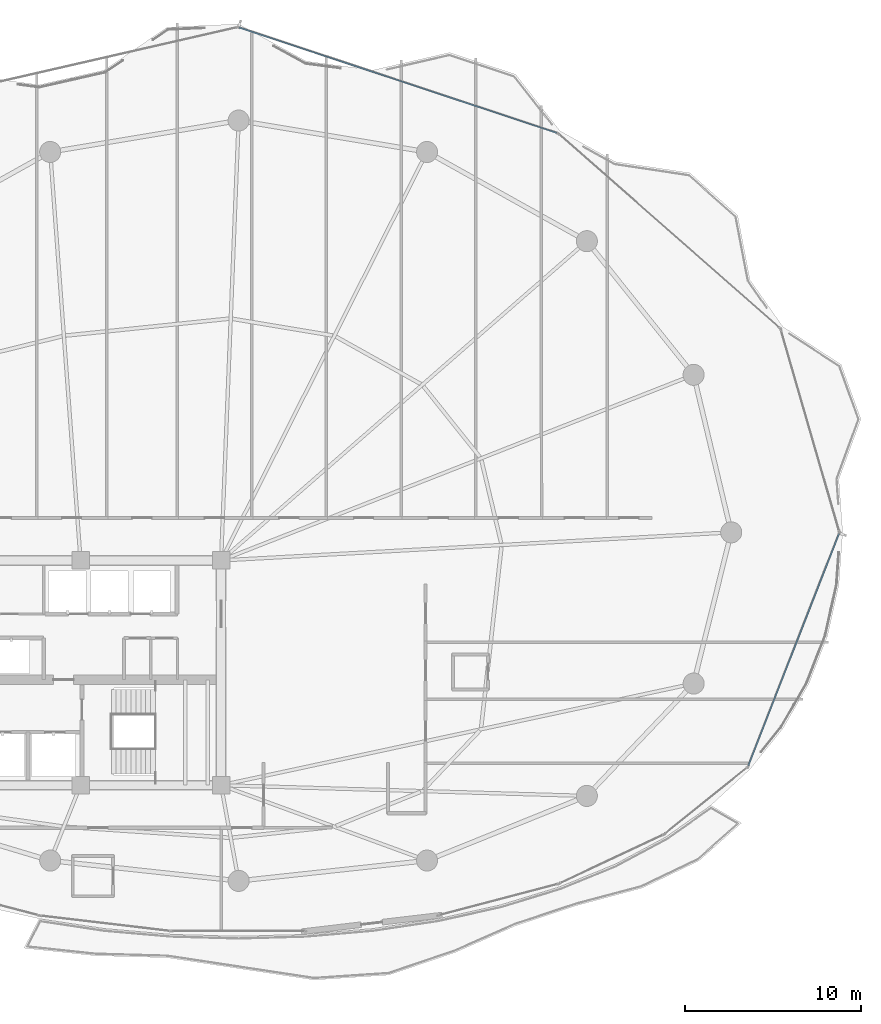
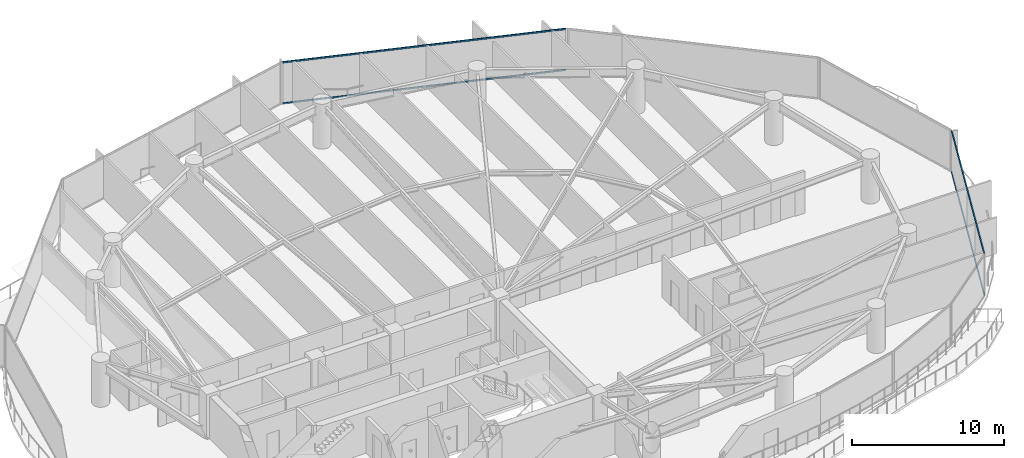
# One storey, part 23 of 34: 4 members, 2 elements without a shape of their own.
"""IFC4 building model written with IfcOpenShell, lengths in metres."""

from ifc_helpers import new_model, si_unit, direction, frame, origin, origin_2d, place, context, subcontext, project, spatial, hollow_rectangle, extrude, material, layer, layer_set, material_profile, profile_set, type_object, element, aggregate, save


model = new_model("IFC4")

# Units and contexts
model_context = context("Model", 3, precision=1e-05, world=origin(), true_north=direction((0.0, 1.0)))
body_context = subcontext(model_context, "Body", "Model", "MODEL_VIEW")
ifc_project = project(units=[si_unit("LENGTHUNIT", "METRE"), si_unit("AREAUNIT", "SQUARE_METRE"), si_unit("VOLUMEUNIT", "CUBIC_METRE"), si_unit("PLANEANGLEUNIT", "RADIAN"), si_unit("MASSUNIT", "GRAM", prefix="KILO")], contexts=[model_context])

# Site, building, storey
site_placement = place(None, origin())
site = spatial("IfcSite", under=ifc_project, at=site_placement, CompositionType="ELEMENT")
building_placement = place(site_placement, origin())
building = spatial("IfcBuilding", under=site, at=building_placement, Name="Kazevale Care Tower and Concert Hall", CompositionType="ELEMENT")
storey_placement = place(building_placement, frame((0.0, 0.0, 163.800048828125)))
storey = spatial("IfcBuildingStorey", under=building, at=storey_placement, Name="L43", CompositionType="ELEMENT", Elevation=163.800048828125)

# Curtain wall, members
ifc_material_1 = material(Name="Aluminium 6063-T6 and Low-E Glass", Category="aluminium")
ifc_layer_1 = layer(ifc_material_1, 0.179931640625)
ifc_layer_set_1 = layer_set([ifc_layer_1], Name="Aluminium 6063-T6 and Low-E Glass")
curtain_wall_type_1 = type_object("IfcCurtainWallType", Name="Convex Checkerboard Finned Curtain Wall CW-2", PredefinedType="NOTDEFINED", material=ifc_layer_set_1)
curtain_wall_1_placement = place(storey_placement, origin())
curtain_wall_1 = element("IfcCurtainWall", 1, at=curtain_wall_1_placement, inside=storey, type_object=curtain_wall_type_1, Name="cw:L43:f16", PredefinedType="NOTDEFINED")
ifc_material_2 = material(Name="Aluminium 6063-T6", Category="aluminium")
ifc_material_profile_1 = material_profile(ifc_material_2, hollow_rectangle(XDim=0.074951171875, YDim=0.1201171875, WallThickness=0.00390625, at=origin_2d()), Name="ALU75x120x4")
ifc_profile_set_1 = profile_set([ifc_material_profile_1], Name="Aluminium 6063-T6")
member_type_1 = type_object("IfcMemberType", Name="CW-2 Transom ALU75x120x4", PredefinedType="USERDEFINED", material=ifc_profile_set_1)
member_1_placement = place(storey_placement, frame((45.033935546875, 66.742919921875, 0.037353515625), z_axis=(0.949132363683, -0.314877366938, 0.0), x_axis=(0.314877366938, 0.949132363683, 0.0)))
member_1 = element("IfcMember", 2, at=member_1_placement, type_object=member_type_1, Name="CW-2 transom 1.1", ObjectType="TRANSOM", PredefinedType="USERDEFINED", context=body_context, shape_type="SweptSolid", body=[
    extrude(hollow_rectangle(XDim=0.074951171875, YDim=0.1201171875, WallThickness=0.00390625, at=origin_2d()), origin(), (0.0, 0.0, 1.0), 19.041748046875),
])
member_2_placement = place(storey_placement, frame((45.033935546875, 66.742919921875, 3.322509765625), z_axis=(0.949132363683, -0.314877366938, 0.0), x_axis=(0.314877366938, 0.949132363683, 0.0)))
member_2 = element("IfcMember", 3, at=member_2_placement, type_object=member_type_1, Name="CW-2 transom 1.2", ObjectType="TRANSOM", PredefinedType="USERDEFINED", context=body_context, shape_type="SweptSolid", body=[
    extrude(hollow_rectangle(XDim=0.074951171875, YDim=0.1201171875, WallThickness=0.00390625, at=origin_2d()), origin(), (0.0, 0.0, 1.0), 19.041748046875),
])
aggregate(curtain_wall_1, [member_1, member_2])

ifc_layer_2 = layer(ifc_material_1, 0.179931640625)
ifc_layer_set_2 = layer_set([ifc_layer_2], Name="Aluminium 6063-T6 and Low-E Glass")
curtain_wall_type_2 = type_object("IfcCurtainWallType", Name="Waist & Upper Residential Curtain Wall CW-4", PredefinedType="NOTDEFINED", material=ifc_layer_set_2)
curtain_wall_2_placement = place(storey_placement, origin())
curtain_wall_2 = element("IfcCurtainWall", 4, at=curtain_wall_2_placement, inside=storey, type_object=curtain_wall_type_2, Name="cw:L43:f01", PredefinedType="NOTDEFINED")
ifc_material_profile_2 = material_profile(ifc_material_2, hollow_rectangle(XDim=0.080078125, YDim=0.139892578125, WallThickness=0.00390625, at=origin_2d()), Name="ALU80x140x4")
ifc_profile_set_2 = profile_set([ifc_material_profile_2], Name="Aluminium 6063-T6")
member_type_2 = type_object("IfcMemberType", Name="CW-4 Transom ALU80x140x4", PredefinedType="USERDEFINED", material=ifc_profile_set_2)
member_3_placement = place(storey_placement, frame((79.19091796875, 37.925537109375, 0.0400390625), z_axis=(-0.364119027629, -0.931352421868, 0.0), x_axis=(0.931352421868, -0.364119027629, 0.0)))
member_3 = element("IfcMember", 5, at=member_3_placement, type_object=member_type_2, Name="CW-4 transom 1.1", ObjectType="TRANSOM", PredefinedType="USERDEFINED", context=body_context, shape_type="SweptSolid", body=[
    extrude(hollow_rectangle(XDim=0.080078125, YDim=0.139892578125, WallThickness=0.00390625, at=origin_2d()), origin(), (0.0, 0.0, 1.0), 14.18701171875),
])
member_4_placement = place(storey_placement, frame((79.19091796875, 37.925537109375, 3.320068359375), z_axis=(-0.364119027629, -0.931352421868, 0.0), x_axis=(0.931352421868, -0.364119027629, 0.0)))
member_4 = element("IfcMember", 6, at=member_4_placement, type_object=member_type_2, Name="CW-4 transom 1.2", ObjectType="TRANSOM", PredefinedType="USERDEFINED", context=body_context, shape_type="SweptSolid", body=[
    extrude(hollow_rectangle(XDim=0.080078125, YDim=0.139892578125, WallThickness=0.00390625, at=origin_2d()), origin(), (0.0, 0.0, 1.0), 14.18701171875),
])
aggregate(curtain_wall_2, [member_3, member_4])

save(model, "model.ifc")
